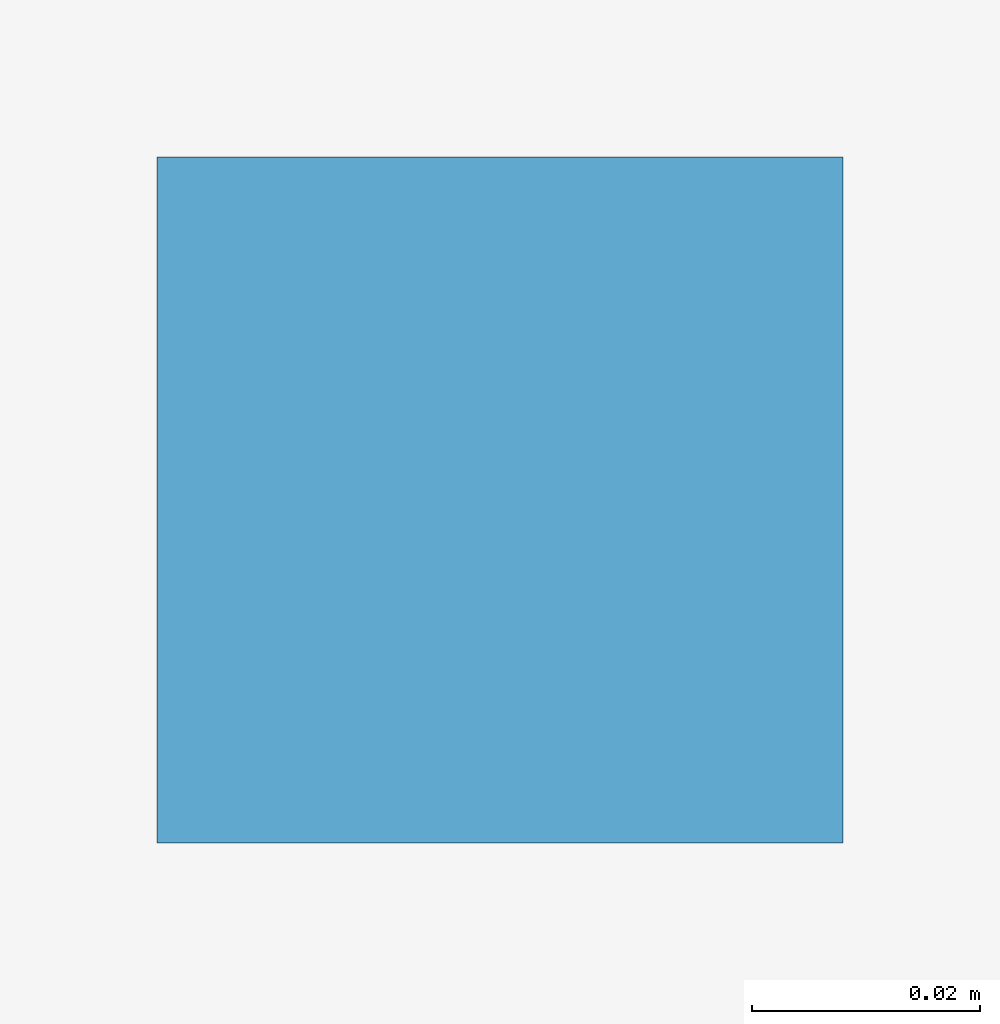
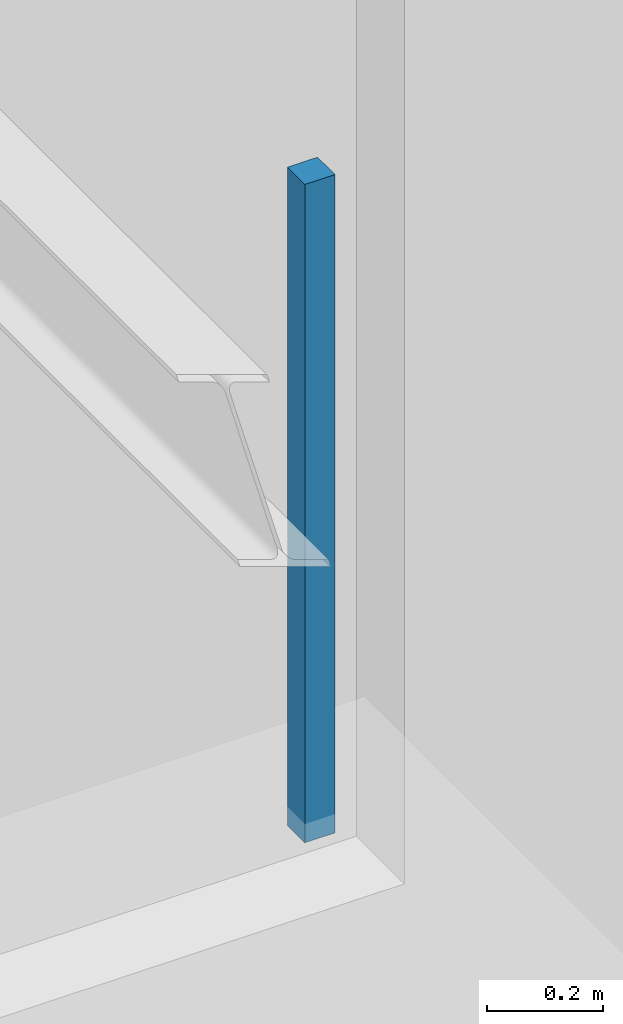
# One storey, part 98 of 124: 1 discrete accessory.
"""IFC4 building model written with IfcOpenShell, lengths in metres."""

from ifc_helpers import new_model, si_unit, direction, frame, origin, origin_2d, place, context, subcontext, project, spatial, rectangle, extrude, material, type_object, element, save


model = new_model("IFC4")

# Units and contexts
model_context = context("Model", 3, precision=1e-05, world=origin(), true_north=direction((0.0, 1.0)))
body_context = subcontext(model_context, "Body", "Model", "MODEL_VIEW")
ifc_project = project(units=[si_unit("LENGTHUNIT", "METRE"), si_unit("AREAUNIT", "SQUARE_METRE"), si_unit("VOLUMEUNIT", "CUBIC_METRE"), si_unit("PLANEANGLEUNIT", "RADIAN"), si_unit("MASSUNIT", "GRAM", prefix="KILO")], contexts=[model_context])

# Site, building, storey
site_placement = place(None, origin())
site = spatial("IfcSite", under=ifc_project, at=site_placement, CompositionType="ELEMENT")
building_placement = place(site_placement, origin())
building = spatial("IfcBuilding", under=site, at=building_placement, Name="Sundkrona Museum", CompositionType="ELEMENT")
storey_placement = place(building_placement, frame((0.0, 0.0, 17.60009765625)))
storey = spatial("IfcBuildingStorey", under=building, at=storey_placement, Name="L03", CompositionType="ELEMENT", Elevation=17.60009765625)

# Discrete accessory
ifc_material = material(Name="Stainless Steel EN 1.4404 Cleat", Category="steel")
discrete_accessory_type = type_object("IfcDiscreteAccessoryType", Name="BRK-FIN-01", PredefinedType="BRACKET", material=ifc_material)
discrete_accessory_placement = place(storey_placement, frame((77.75, 111.550048828125, 2.550048828125), z_axis=(0.0, 0.0, 1.0), x_axis=(1.0, 0.0, 0.0)))
element("IfcDiscreteAccessory", 1, at=discrete_accessory_placement, inside=storey, type_object=discrete_accessory_type, Name="L03 Glass and Applied Arts Gallery Ceiling Hanger 3", PredefinedType="BRACKET", context=body_context, shape_type="SweptSolid", body=[
    extrude(rectangle(XDim=0.06005859375, YDim=0.06005859375, at=origin_2d()), origin(), (0.0, 0.0, 1.0), 1.3798828125),
])

save(model, "model.ifc")
